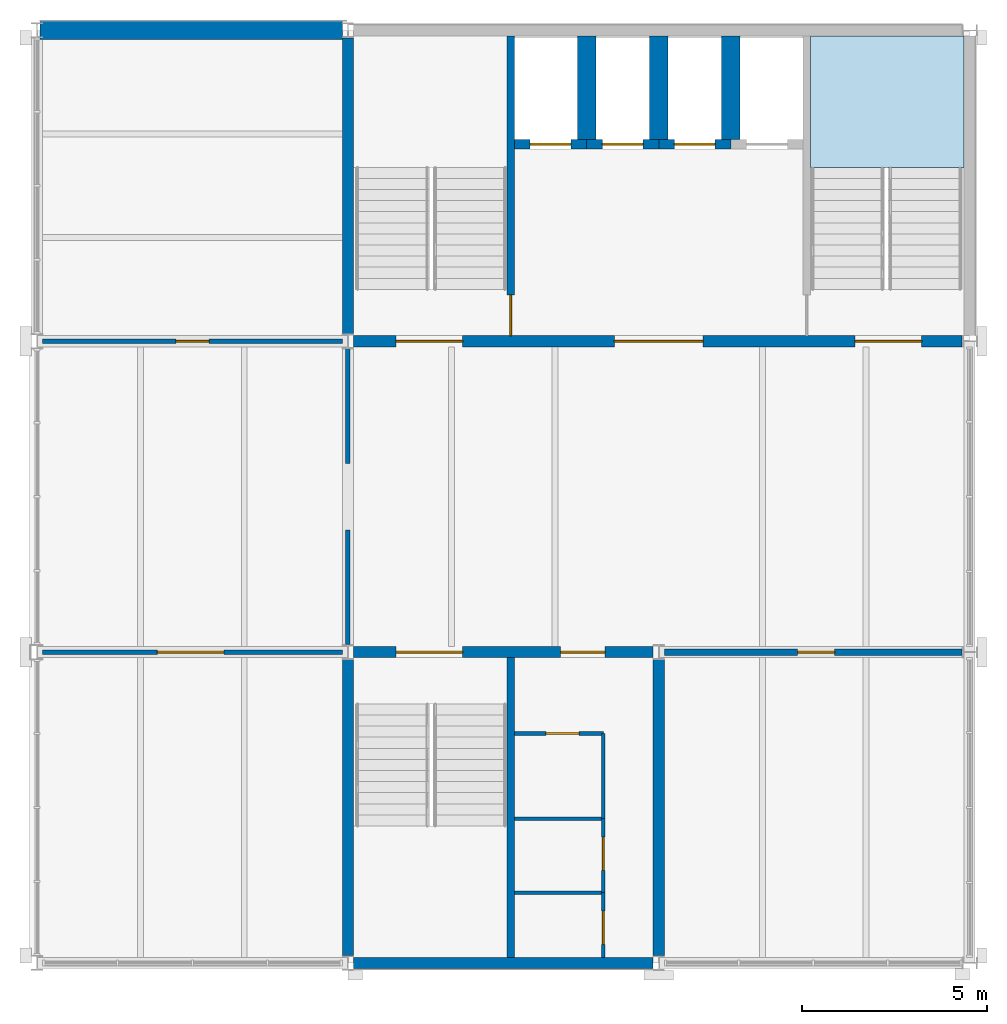
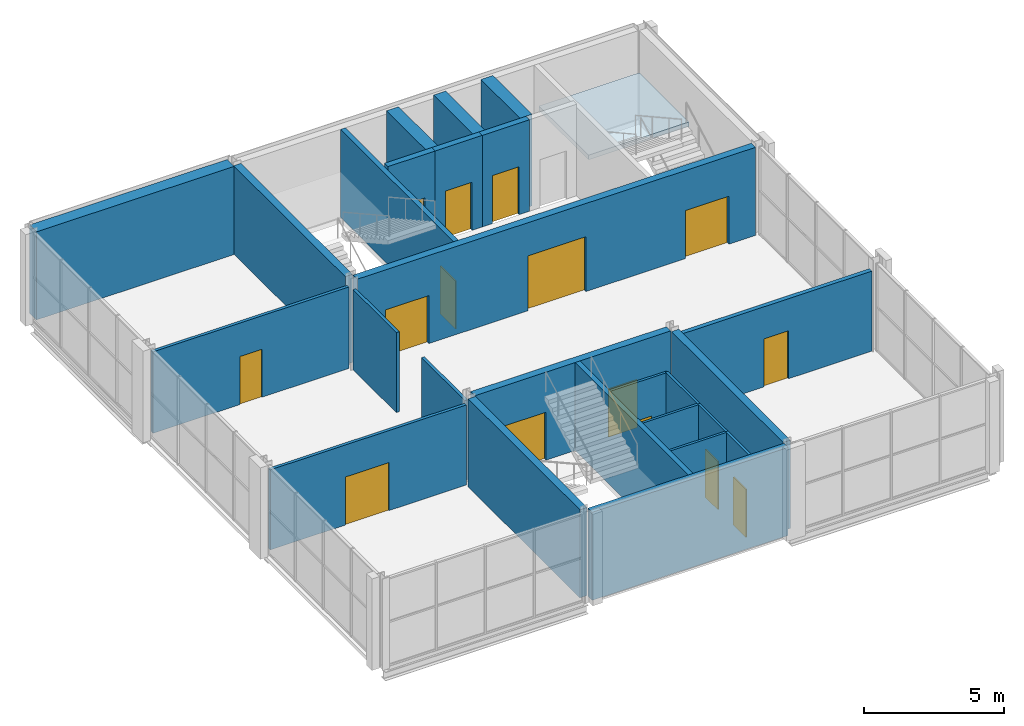
# One storey, part 6 of 8: 26 walls, 15 doors, 1 slab, 15 openings, 1 element without a shape of its own.
"""IFC4 building model written with IfcOpenShell, lengths in metres."""

from ifc_helpers import new_model, si_unit, direction, frame, frame_2d, origin, place, context, subcontext, project, spatial, polyline, rectangle, outline, extrude, material, layer, layer_set, type_object, element, fill, aggregate, save


model = new_model("IFC4")

# Units and contexts
model_context = context("Model", 3, precision=1e-05, world=origin(), true_north=direction((0.0, 1.0)))
body_context = subcontext(model_context, "Body", "Model", "MODEL_VIEW")
ifc_project = project(units=[si_unit("LENGTHUNIT", "METRE"), si_unit("AREAUNIT", "SQUARE_METRE"), si_unit("VOLUMEUNIT", "CUBIC_METRE"), si_unit("PLANEANGLEUNIT", "RADIAN"), si_unit("MASSUNIT", "GRAM", prefix="KILO")], contexts=[model_context])

# Site, building, storey
site_placement = place(None, origin())
site = spatial("IfcSite", under=ifc_project, at=site_placement, CompositionType="ELEMENT")
building_placement = place(site_placement, origin())
building = spatial("IfcBuilding", under=site, at=building_placement, Name="Galleria Vessillo Department Store", CompositionType="ELEMENT")
storey_placement = place(building_placement, frame((0.0, 0.0, 51.60009765625)))
storey = spatial("IfcBuildingStorey", under=building, at=storey_placement, Name="L11", CompositionType="ELEMENT", Elevation=51.60009765625)

# Stair, slab
ifc_material_1 = material(Name="Concrete C32/40", Category="concrete")
stair_type = type_object("IfcStairType", Name="Half-turn escape stair 2000 mm, 24 risers of 167 mm", PredefinedType="HALF_TURN_STAIR", material=ifc_material_1)
stair_placement = place(storey_placement, origin())
stair = element("IfcStair", 1, at=stair_placement, inside=storey, type_object=stair_type, Name="Stair ST9 L11", PredefinedType="HALF_TURN_STAIR")
ifc_material_2 = material(Name="Concrete C32/40", Category="concrete")
ifc_layer_1 = layer(ifc_material_2, 0.199951171875)
ifc_layer_set_1 = layer_set([ifc_layer_1], Name="Concrete C32/40")
slab_type = type_object("IfcSlabType", Name="Stair half landing 4150 x 3550 mm", PredefinedType="LANDING", material=ifc_layer_set_1)
slab_placement = place(storey_placement, frame((0.0, 0.0, 1.800048828125)))
slab = element("IfcSlab", 2, at=slab_placement, type_object=slab_type, Name="ST9 landing 1", PredefinedType="LANDING", context=body_context, shape_type="SweptSolid", body=[
    extrude(outline(polyline([(113.300048828125, 59.300048828125), (113.300048828125, 62.85009765625), (117.4501953125, 62.85009765625), (117.4501953125, 59.300048828125), (113.300048828125, 59.300048828125)])), origin(), (0.0, 0.0, 1.0), 0.199951171875),
])
aggregate(stair, [slab])

# Wall, opening, door
ifc_material_3 = material(Name="Acoustic gypsum board partition")
ifc_layer_2 = layer(ifc_material_3, 0.175048828125)
ifc_layer_set_2 = layer_set([ifc_layer_2], Name="Acoustic gypsum board partition")
wall_type_1 = type_object("IfcWallType", Name="Acoustic conference partition 175 mm", PredefinedType="PARTITIONING", material=ifc_layer_set_2)
wall_1_placement = place(storey_placement, frame((109.349853515625, 46.199951171875, 0.0), z_axis=(0.0, 0.0, 1.0), x_axis=(1.0, 0.0, 0.0)))
wall_1 = element("IfcWall", 3, at=wall_1_placement, inside=storey, type_object=wall_type_1, Name="Partition wall PT6 on L11 no. 008", PredefinedType="PARTITIONING", context=body_context, shape_type="SweptSolid", body=[
    extrude(rectangle(XDim=8.05029296875, YDim=0.175048828125, at=frame_2d((4.025146484375, 0.0))), origin(), (0.0, 0.0, 1.0), 3.5),
])
opening_1_placement = place(wall_1_placement, frame((3.60009765625, 0.0, 0.0)))
opening_1 = element("IfcOpeningElement", 4, at=opening_1_placement, cuts=wall_1, Name="Opening D3305", PredefinedType="OPENING", context=body_context, shape_type="SweptSolid", body=[
    extrude(rectangle(XDim=1.0, YDim=2.10009765625, at=frame_2d((0.5, 1.050048828125))), frame((0.0, 0.09765625, 0.0), z_axis=(0.0, -1.0, 0.0), x_axis=(1.0, 0.0, 0.0)), (0.0, 0.0, 1.0), 0.195068359375),
])
ifc_material_4 = material(Name="Timber and glass door leaf", Category="wood")
door_type_1 = type_object("IfcDoorType", Name="Floor door 1000 single leaf", OperationType="SINGLE_SWING_LEFT", PredefinedType="DOOR", material=ifc_material_4)
door_1_placement = place(opening_1_placement, frame((1.0, 0.0, 0.0), z_axis=(0.0, 0.0, 1.0), x_axis=(-1.0, 0.0, 0.0)))
door_1 = element("IfcDoor", 5, at=door_1_placement, inside=storey, type_object=door_type_1, Name="Door D3305", OperationType="SINGLE_SWING_RIGHT", OverallHeight=2.10009765625, OverallWidth=1.0, PredefinedType="DOOR", context=body_context, shape_type="SweptSolid", body=[
    extrude(rectangle(XDim=1.0, YDim=2.10009765625, at=frame_2d((0.5, 1.050048828125))), frame((0.0, 0.02490234375, 0.0), z_axis=(0.0, -1.0, 0.0), x_axis=(1.0, 0.0, 0.0)), (0.0, 0.0, 1.0), 0.050048828125),
])
fill(opening_1, door_1)

# Walls
ifc_material_5 = material(Name="Solid clay block masonry", Category="masonry")
ifc_layer_3 = layer(ifc_material_5, 0.5)
ifc_layer_set_3 = layer_set([ifc_layer_3], Name="Solid clay block masonry")
wall_type_2 = type_object("IfcWallType", Name="Lift shaft partition wall 500 mm", PredefinedType="SOLIDWALL", material=ifc_layer_set_3)
for number, where, z_axis, x_axis, name in (
    (6, (107.25, 62.85009765625, 0.0), (0.0, 0.0, 1.0), (0.0, -1.0, 0.0), "Lift shaft partition wall T1 L11"),
    (7, (109.199951171875, 62.85009765625, 0.0), (0.0, 0.0, 1.0), (0.0, -1.0, 0.0), "Lift shaft partition wall T2 L11"),
    (8, (111.14990234375, 62.85009765625, 0.0), (0.0, 0.0, 1.0), (0.0, -1.0, 0.0), "Lift shaft partition wall T3 L11"),
):
    element("IfcWall", number, at=place(storey_placement, frame(where, z_axis=z_axis, x_axis=x_axis)), inside=storey, type_object=wall_type_2, Name=name, PredefinedType="SOLIDWALL", context=body_context, shape_type="SweptSolid", body=[
        extrude(rectangle(XDim=2.800048828125, YDim=0.5, at=frame_2d((1.39990234375, 0.0))), origin(), (0.0, 0.0, 1.0), 4.0),
    ])

# Wall, opening, door
ifc_material_6 = material(Name="Solid clay block masonry", Category="masonry")
ifc_layer_4 = layer(ifc_material_6, 0.25)
ifc_layer_set_4 = layer_set([ifc_layer_4], Name="Solid clay block masonry")
wall_type_3 = type_object("IfcWallType", Name="Lift shaft wall 250 mm", PredefinedType="SOLIDWALL", material=ifc_layer_set_4)
wall_2_placement = place(storey_placement, frame((105.300048828125, 59.925048828125, 0.0), z_axis=(0.0, 0.0, 1.0), x_axis=(1.0, 0.0, 0.0)))
wall_2 = element("IfcWall", 9, at=wall_2_placement, inside=storey, type_object=wall_type_3, Name="Lift shaft wall T1 landing side L11", PredefinedType="SOLIDWALL", context=body_context, shape_type="SweptSolid", body=[
    extrude(rectangle(XDim=1.949951171875, YDim=0.25, at=frame_2d((0.97509765625, 0.0))), origin(), (0.0, 0.0, 1.0), 4.0),
])
opening_2_placement = place(wall_2_placement, frame((0.4248046875, 0.0, 0.0)))
opening_2 = element("IfcOpeningElement", 10, at=opening_2_placement, cuts=wall_2, Name="Opening LD117", PredefinedType="OPENING", context=body_context, shape_type="SweptSolid", body=[
    extrude(rectangle(XDim=1.10009765625, YDim=2.10009765625, at=frame_2d((0.550048828125, 1.050048828125))), frame((0.0, 0.135009765625, 0.0), z_axis=(0.0, -1.0, 0.0), x_axis=(1.0, 0.0, 0.0)), (0.0, 0.0, 1.0), 0.27001953125),
])
ifc_material_7 = material(Name="Stainless steel lift door panel", Category="steel")
door_type_2 = type_object("IfcDoorType", Name="Lift landing door LD110 sliding 1100 x 2100", OperationType="SLIDING_TO_LEFT", PredefinedType="DOOR", material=ifc_material_7)
door_2_placement = place(opening_2_placement, frame((1.10009765625, 0.0, 0.0), z_axis=(0.0, 0.0, 1.0), x_axis=(-1.0, 0.0, 0.0)))
door_2 = element("IfcDoor", 11, at=door_2_placement, inside=storey, type_object=door_type_2, Name="Lift landing door T1 L11", OperationType="SLIDING_TO_RIGHT", OverallHeight=2.10009765625, OverallWidth=1.10009765625, PredefinedType="DOOR", context=body_context, shape_type="SweptSolid", body=[
    extrude(rectangle(XDim=1.10009765625, YDim=2.10009765625, at=frame_2d((0.550048828125, 1.050048828125))), frame((0.0, 0.02490234375, 0.0), z_axis=(0.0, -1.0, 0.0), x_axis=(1.0, 0.0, 0.0)), (0.0, 0.0, 1.0), 0.050048828125),
])
fill(opening_2, door_2)

wall_3_placement = place(storey_placement, frame((107.25, 59.925048828125, 0.0), z_axis=(0.0, 0.0, 1.0), x_axis=(1.0, 0.0, 0.0)))
wall_3 = element("IfcWall", 12, at=wall_3_placement, inside=storey, type_object=wall_type_3, Name="Lift shaft wall T2 landing side L11", PredefinedType="SOLIDWALL", context=body_context, shape_type="SweptSolid", body=[
    extrude(rectangle(XDim=1.949951171875, YDim=0.25, at=frame_2d((0.97509765625, 0.0))), origin(), (0.0, 0.0, 1.0), 4.0),
])
opening_3_placement = place(wall_3_placement, frame((0.425048828125, 0.0, 0.0)))
opening_3 = element("IfcOpeningElement", 13, at=opening_3_placement, cuts=wall_3, Name="Opening LD118", PredefinedType="OPENING", context=body_context, shape_type="SweptSolid", body=[
    extrude(rectangle(XDim=1.10009765625, YDim=2.10009765625, at=frame_2d((0.550048828125, 1.050048828125))), frame((0.0, 0.135009765625, 0.0), z_axis=(0.0, -1.0, 0.0), x_axis=(1.0, 0.0, 0.0)), (0.0, 0.0, 1.0), 0.27001953125),
])
door_3_placement = place(opening_3_placement, frame((1.10009765625, 0.0, 0.0), z_axis=(0.0, 0.0, 1.0), x_axis=(-1.0, 0.0, 0.0)))
door_3 = element("IfcDoor", 14, at=door_3_placement, inside=storey, type_object=door_type_2, Name="Lift landing door T2 L11", OperationType="SLIDING_TO_RIGHT", OverallHeight=2.10009765625, OverallWidth=1.10009765625, PredefinedType="DOOR", context=body_context, shape_type="SweptSolid", body=[
    extrude(rectangle(XDim=1.10009765625, YDim=2.10009765625, at=frame_2d((0.550048828125, 1.050048828125))), frame((0.0, 0.02490234375, 0.0), z_axis=(0.0, -1.0, 0.0), x_axis=(1.0, 0.0, 0.0)), (0.0, 0.0, 1.0), 0.050048828125),
])
fill(opening_3, door_3)

wall_4_placement = place(storey_placement, frame((109.199951171875, 59.925048828125, 0.0), z_axis=(0.0, 0.0, 1.0), x_axis=(1.0, 0.0, 0.0)))
wall_4 = element("IfcWall", 15, at=wall_4_placement, inside=storey, type_object=wall_type_3, Name="Lift shaft wall T3 landing side L11", PredefinedType="SOLIDWALL", context=body_context, shape_type="SweptSolid", body=[
    extrude(rectangle(XDim=1.949951171875, YDim=0.25, at=frame_2d((0.97509765625, 0.0))), origin(), (0.0, 0.0, 1.0), 4.0),
])
opening_4_placement = place(wall_4_placement, frame((0.425048828125, 0.0, 0.0)))
opening_4 = element("IfcOpeningElement", 16, at=opening_4_placement, cuts=wall_4, Name="Opening LD119", PredefinedType="OPENING", context=body_context, shape_type="SweptSolid", body=[
    extrude(rectangle(XDim=1.10009765625, YDim=2.10009765625, at=frame_2d((0.550048828125, 1.050048828125))), frame((0.0, 0.135009765625, 0.0), z_axis=(0.0, -1.0, 0.0), x_axis=(1.0, 0.0, 0.0)), (0.0, 0.0, 1.0), 0.27001953125),
])
door_4_placement = place(opening_4_placement, frame((1.10009765625, 0.0, 0.0), z_axis=(0.0, 0.0, 1.0), x_axis=(-1.0, 0.0, 0.0)))
door_4 = element("IfcDoor", 17, at=door_4_placement, inside=storey, type_object=door_type_2, Name="Lift landing door T3 L11", OperationType="SLIDING_TO_RIGHT", OverallHeight=2.10009765625, OverallWidth=1.10009765625, PredefinedType="DOOR", context=body_context, shape_type="SweptSolid", body=[
    extrude(rectangle(XDim=1.10009765625, YDim=2.10009765625, at=frame_2d((0.550048828125, 1.050048828125))), frame((0.0, 0.02490234375, 0.0), z_axis=(0.0, -1.0, 0.0), x_axis=(1.0, 0.0, 0.0)), (0.0, 0.0, 1.0), 0.050048828125),
])
fill(opening_4, door_4)

ifc_material_8 = material(Name="Gypsum board partition")
ifc_layer_5 = layer(ifc_material_8, 0.125)
ifc_layer_set_5 = layer_set([ifc_layer_5], Name="Gypsum board partition")
wall_type_4 = type_object("IfcWallType", Name="Office partition 125 mm", PredefinedType="PARTITIONING", material=ifc_layer_set_5)
wall_5_placement = place(storey_placement, frame((92.5498046875, 46.199951171875, 0.0), z_axis=(0.0, 0.0, 1.0), x_axis=(1.0, 0.0, 0.0)))
wall_5 = element("IfcWall", 18, at=wall_5_placement, inside=storey, type_object=wall_type_4, Name="Partition wall PT2 on L11 no. 007", PredefinedType="PARTITIONING", context=body_context, shape_type="SweptSolid", body=[
    extrude(rectangle(XDim=8.100341796875, YDim=0.125, at=frame_2d((4.05029296875, 0.0))), origin(), (0.0, 0.0, 1.0), 3.5),
])
opening_5_placement = place(wall_5_placement, frame((3.10009765625, 0.0, 0.0)))
opening_5 = element("IfcOpeningElement", 19, at=opening_5_placement, cuts=wall_5, Name="Opening D3304", PredefinedType="OPENING", context=body_context, shape_type="SweptSolid", body=[
    extrude(rectangle(XDim=1.800048828125, YDim=2.10009765625, at=frame_2d((0.89990234375, 1.050048828125))), frame((0.0, 0.072509765625, 0.0), z_axis=(0.0, -1.0, 0.0), x_axis=(1.0, 0.0, 0.0)), (0.0, 0.0, 1.0), 0.14501953125),
])
ifc_material_9 = material(Name="Timber and glass door leaf", Category="wood")
door_type_3 = type_object("IfcDoorType", Name="Floor door 1800 double leaf", OperationType="DOUBLE_DOOR_SINGLE_SWING", PredefinedType="DOOR", material=ifc_material_9)
door_5_placement = place(opening_5_placement, origin())
door_5 = element("IfcDoor", 20, at=door_5_placement, inside=storey, type_object=door_type_3, Name="Door D3304", OperationType="DOUBLE_DOOR_SINGLE_SWING", OverallHeight=2.10009765625, OverallWidth=1.800048828125, PredefinedType="DOOR", context=body_context, shape_type="SweptSolid", body=[
    extrude(rectangle(XDim=1.800048828125, YDim=2.10009765625, at=frame_2d((0.89990234375, 1.050048828125))), frame((0.0, 0.02490234375, 0.0), z_axis=(0.0, -1.0, 0.0), x_axis=(1.0, 0.0, 0.0)), (0.0, 0.0, 1.0), 0.050048828125),
])
fill(opening_5, door_5)

# Walls
for number, where, z_axis, x_axis, name in (
    (21, (100.800048828125, 46.39990234375, 0.0), (0.0, 0.0, 1.0), (0.0, 1.0, 0.0), "Partition wall PT2 on L11 no. 009"),
    (22, (100.800048828125, 51.300048828125, 0.0), (0.0, 0.0, 1.0), (0.0, 1.0, 0.0), "Partition wall PT2 on L11 no. 010"),
):
    element("IfcWall", number, at=place(storey_placement, frame(where, z_axis=z_axis, x_axis=x_axis)), inside=storey, type_object=wall_type_4, Name=name, PredefinedType="PARTITIONING", context=body_context, shape_type="SweptSolid", body=[
        extrude(rectangle(XDim=3.10009765625, YDim=0.125, at=frame_2d((1.550048828125, 0.0))), origin(), (0.0, 0.0, 1.0), 3.5),
    ])

# Wall, opening, door
wall_6_placement = place(storey_placement, frame((92.5498046875, 54.60009765625, 0.0), z_axis=(0.0, 0.0, 1.0), x_axis=(1.0, 0.0, 0.0)))
wall_6 = element("IfcWall", 23, at=wall_6_placement, inside=storey, type_object=wall_type_4, Name="Partition wall PT2 on L11 no. 011", PredefinedType="PARTITIONING", context=body_context, shape_type="SweptSolid", body=[
    extrude(rectangle(XDim=8.100341796875, YDim=0.125, at=frame_2d((4.05029296875, 0.0))), origin(), (0.0, 0.0, 1.0), 3.56005859375),
])
opening_6_placement = place(wall_6_placement, frame((3.60009765625, 0.0, 0.0)))
opening_6 = element("IfcOpeningElement", 24, at=opening_6_placement, cuts=wall_6, Name="Opening D3306", PredefinedType="OPENING", context=body_context, shape_type="SweptSolid", body=[
    extrude(rectangle(XDim=0.89990234375, YDim=2.10009765625, at=frame_2d((0.449951171875, 1.050048828125))), frame((0.0, 0.072509765625, 0.0), z_axis=(0.0, -1.0, 0.0), x_axis=(1.0, 0.0, 0.0)), (0.0, 0.0, 1.0), 0.14501953125),
])
ifc_material_10 = material(Name="Timber and glass door leaf", Category="wood")
door_type_4 = type_object("IfcDoorType", Name="Floor door 900 single leaf", OperationType="SINGLE_SWING_LEFT", PredefinedType="DOOR", material=ifc_material_10)
door_6_placement = place(opening_6_placement, origin())
door_6 = element("IfcDoor", 25, at=door_6_placement, inside=storey, type_object=door_type_4, Name="Door D3306", OperationType="SINGLE_SWING_RIGHT", OverallHeight=2.10009765625, OverallWidth=0.89990234375, PredefinedType="DOOR", context=body_context, shape_type="SweptSolid", body=[
    extrude(rectangle(XDim=0.89990234375, YDim=2.10009765625, at=frame_2d((0.449951171875, 1.050048828125))), frame((0.0, 0.02490234375, 0.0), z_axis=(0.0, -1.0, 0.0), x_axis=(1.0, 0.0, 0.0)), (0.0, 0.0, 1.0), 0.050048828125),
])
fill(opening_6, door_6)

# Wall, openings, doors
ifc_material_11 = material(Name="Concrete C32/40 reinforced", Category="concrete")
ifc_layer_6 = layer(ifc_material_11, 0.300048828125)
ifc_layer_set_6 = layer_set([ifc_layer_6], Name="Concrete C32/40 reinforced")
wall_type_5 = type_object("IfcWallType", Name="Reinforced concrete core wall 300 mm", PredefinedType="SHEAR", material=ifc_layer_set_6)
wall_7_placement = place(storey_placement, frame((100.949951171875, 54.60009765625, 0.0), z_axis=(0.0, 0.0, 1.0), x_axis=(1.0, 0.0, 0.0)))
wall_7 = element("IfcWall", 26, at=wall_7_placement, inside=storey, type_object=wall_type_5, Name="S-CW-TC-INTERIOR-L11", PredefinedType="SHEAR", context=body_context, shape_type="SweptSolid", body=[
    extrude(rectangle(XDim=16.4501953125, YDim=0.300048828125, at=frame_2d((8.22509765625, 0.0))), origin(), (0.0, 0.0, 1.0), 3.85009765625),
])
opening_7_placement = place(wall_7_placement, frame((1.14990234375, 0.0, 0.0)))
opening_7 = element("IfcOpeningElement", 27, at=opening_7_placement, cuts=wall_7, Name="Opening D5297", PredefinedType="OPENING", context=body_context, shape_type="SweptSolid", body=[
    extrude(rectangle(XDim=1.800048828125, YDim=2.10009765625, at=frame_2d((0.89990234375, 1.050048828125))), frame((0.0, 0.16015625, 0.0), z_axis=(0.0, -1.0, 0.0), x_axis=(1.0, 0.0, 0.0)), (0.0, 0.0, 1.0), 0.320068359375),
])
opening_8_placement = place(wall_7_placement, frame((13.5498046875, 0.0, 0.0)))
opening_8 = element("IfcOpeningElement", 28, at=opening_8_placement, cuts=wall_7, Name="Opening D5298", PredefinedType="OPENING", context=body_context, shape_type="SweptSolid", body=[
    extrude(rectangle(XDim=1.800048828125, YDim=2.10009765625, at=frame_2d((0.89990234375, 1.050048828125))), frame((0.0, 0.16015625, 0.0), z_axis=(0.0, -1.0, 0.0), x_axis=(1.0, 0.0, 0.0)), (0.0, 0.0, 1.0), 0.320068359375),
])
opening_9_placement = place(wall_7_placement, frame((7.0498046875, 0.0, 0.0)))
opening_9 = element("IfcOpeningElement", 29, at=opening_9_placement, cuts=wall_7, Name="Opening D5299", PredefinedType="OPENING", context=body_context, shape_type="SweptSolid", body=[
    extrude(rectangle(XDim=2.39990234375, YDim=2.39990234375, at=frame_2d((1.199951171875, 1.199951171875))), frame((0.0, 0.16015625, 0.0), z_axis=(0.0, -1.0, 0.0), x_axis=(1.0, 0.0, 0.0)), (0.0, 0.0, 1.0), 0.320068359375),
])
ifc_material_12 = material(Name="Fire-rated steel door leaf", Category="steel")
door_type_5 = type_object("IfcDoorType", Name="Door D180F double leaf 1800 x 2100", OperationType="DOUBLE_DOOR_SINGLE_SWING", PredefinedType="DOOR", material=ifc_material_12)
door_7_placement = place(opening_7_placement, origin())
door_7 = element("IfcDoor", 30, at=door_7_placement, inside=storey, type_object=door_type_5, Name="Lobby door TC-ST8-FLOOR L11", OperationType="DOUBLE_DOOR_SINGLE_SWING", OverallHeight=2.10009765625, OverallWidth=1.800048828125, PredefinedType="DOOR", context=body_context, shape_type="SweptSolid", body=[
    extrude(rectangle(XDim=1.800048828125, YDim=2.10009765625, at=frame_2d((0.89990234375, 1.050048828125))), frame((0.0, 0.02490234375, 0.0), z_axis=(0.0, -1.0, 0.0), x_axis=(1.0, 0.0, 0.0)), (0.0, 0.0, 1.0), 0.050048828125),
])
fill(opening_7, door_7)
door_8_placement = place(opening_8_placement, origin())
door_8 = element("IfcDoor", 31, at=door_8_placement, inside=storey, type_object=door_type_5, Name="Lobby door TC-ST9-FLOOR L11", OperationType="DOUBLE_DOOR_SINGLE_SWING", OverallHeight=2.10009765625, OverallWidth=1.800048828125, PredefinedType="DOOR", context=body_context, shape_type="SweptSolid", body=[
    extrude(rectangle(XDim=1.800048828125, YDim=2.10009765625, at=frame_2d((0.89990234375, 1.050048828125))), frame((0.0, 0.02490234375, 0.0), z_axis=(0.0, -1.0, 0.0), x_axis=(1.0, 0.0, 0.0)), (0.0, 0.0, 1.0), 0.050048828125),
])
fill(opening_8, door_8)
ifc_material_13 = material(Name="Fire-rated steel door leaf", Category="steel")
door_type_6 = type_object("IfcDoorType", Name="Door D240F double leaf 2400 x 2400", OperationType="DOUBLE_DOOR_SINGLE_SWING", PredefinedType="DOOR", material=ifc_material_13)
door_9_placement = place(opening_9_placement, frame((2.39990234375, 0.0, 0.0), z_axis=(0.0, 0.0, 1.0), x_axis=(-1.0, 0.0, 0.0)))
door_9 = element("IfcDoor", 32, at=door_9_placement, inside=storey, type_object=door_type_6, Name="Lobby door TC-LOBBY-FLOOR L11", OperationType="DOUBLE_DOOR_SINGLE_SWING", OverallHeight=2.39990234375, OverallWidth=2.39990234375, PredefinedType="DOOR", context=body_context, shape_type="SweptSolid", body=[
    extrude(rectangle(XDim=2.39990234375, YDim=2.39990234375, at=frame_2d((1.199951171875, 1.199951171875))), frame((0.0, 0.02490234375, 0.0), z_axis=(0.0, -1.0, 0.0), x_axis=(1.0, 0.0, 0.0)), (0.0, 0.0, 1.0), 0.050048828125),
])
fill(opening_9, door_9)

# Wall
wall_8_placement = place(storey_placement, frame((100.800048828125, 54.800048828125, 0.0), z_axis=(0.0, 0.0, 1.0), x_axis=(0.0, 1.0, 0.0)))
element("IfcWall", 33, at=wall_8_placement, inside=storey, type_object=wall_type_5, Name="S-CW-TC-WEST-L11", PredefinedType="SHEAR", context=body_context, shape_type="SweptSolid", body=[
    extrude(rectangle(XDim=8.0, YDim=0.300048828125, at=frame_2d((4.0, 0.0))), origin(), (0.0, 0.0, 1.0), 3.85009765625),
])

# Wall, openings, doors
wall_9_placement = place(storey_placement, frame((100.949951171875, 46.199951171875, 0.0), z_axis=(0.0, 0.0, 1.0), x_axis=(1.0, 0.0, 0.0)))
wall_9 = element("IfcWall", 34, at=wall_9_placement, inside=storey, type_object=wall_type_5, Name="S-CW-TS-INTERIOR-L11", PredefinedType="SHEAR", context=body_context, shape_type="SweptSolid", body=[
    extrude(rectangle(XDim=8.10009765625, YDim=0.300048828125, at=frame_2d((4.050048828125, 0.0))), origin(), (0.0, 0.0, 1.0), 3.85009765625),
])
opening_10_placement = place(wall_9_placement, frame((1.14990234375, 0.0, 0.0)))
opening_10 = element("IfcOpeningElement", 35, at=opening_10_placement, cuts=wall_9, Name="Opening D5331", PredefinedType="OPENING", context=body_context, shape_type="SweptSolid", body=[
    extrude(rectangle(XDim=1.800048828125, YDim=2.10009765625, at=frame_2d((0.89990234375, 1.050048828125))), frame((0.0, 0.16015625, 0.0), z_axis=(0.0, -1.0, 0.0), x_axis=(1.0, 0.0, 0.0)), (0.0, 0.0, 1.0), 0.320068359375),
])
opening_11_placement = place(wall_9_placement, frame((5.599853515625, 0.0, 0.0)))
opening_11 = element("IfcOpeningElement", 36, at=opening_11_placement, cuts=wall_9, Name="Opening D5332", PredefinedType="OPENING", context=body_context, shape_type="SweptSolid", body=[
    extrude(rectangle(XDim=1.199951171875, YDim=2.10009765625, at=frame_2d((0.60009765625, 1.050048828125))), frame((0.0, 0.16015625, 0.0), z_axis=(0.0, -1.0, 0.0), x_axis=(1.0, 0.0, 0.0)), (0.0, 0.0, 1.0), 0.320068359375),
])
ifc_material_14 = material(Name="Fire-rated steel door leaf", Category="steel")
door_type_7 = type_object("IfcDoorType", Name="Door D120F fire door 1200 x 2100", OperationType="SINGLE_SWING_LEFT", PredefinedType="DOOR", material=ifc_material_14)
door_10_placement = place(opening_11_placement, frame((1.199951171875, 0.0, 0.0), z_axis=(0.0, 0.0, 1.0), x_axis=(-1.0, 0.0, 0.0)))
door_10 = element("IfcDoor", 37, at=door_10_placement, inside=storey, type_object=door_type_7, Name="Lobby door TS-WC-FLOOR L11", OperationType="SINGLE_SWING_LEFT", OverallHeight=2.10009765625, OverallWidth=1.199951171875, PredefinedType="DOOR", context=body_context, shape_type="SweptSolid", body=[
    extrude(rectangle(XDim=1.199951171875, YDim=2.10009765625, at=frame_2d((0.60009765625, 1.050048828125))), frame((0.0, 0.02490234375, 0.0), z_axis=(0.0, -1.0, 0.0), x_axis=(1.0, 0.0, 0.0)), (0.0, 0.0, 1.0), 0.050048828125),
])
fill(opening_11, door_10)
door_11_placement = place(opening_10_placement, frame((1.800048828125, 0.0, 0.0), z_axis=(0.0, 0.0, 1.0), x_axis=(-1.0, 0.0, 0.0)))
door_11 = element("IfcDoor", 38, at=door_11_placement, inside=storey, type_object=door_type_5, Name="Lobby door TS-ST12-FLOOR L11", OperationType="DOUBLE_DOOR_SINGLE_SWING", OverallHeight=2.10009765625, OverallWidth=1.800048828125, PredefinedType="DOOR", context=body_context, shape_type="SweptSolid", body=[
    extrude(rectangle(XDim=1.800048828125, YDim=2.10009765625, at=frame_2d((0.89990234375, 1.050048828125))), frame((0.0, 0.02490234375, 0.0), z_axis=(0.0, -1.0, 0.0), x_axis=(1.0, 0.0, 0.0)), (0.0, 0.0, 1.0), 0.050048828125),
])
fill(opening_10, door_11)

# Walls
for number, where, z_axis, x_axis, name in (
    (39, (100.800048828125, 38.0, 0.0), (0.0, 0.0, 1.0), (0.0, 1.0, 0.0), "S-CW-TS-WEST-L11"),
    (40, (109.199951171875, 38.0, 0.0), (0.0, 0.0, 1.0), (0.0, 1.0, 0.0), "S-CW-TS-EAST-L11"),
):
    element("IfcWall", number, at=place(storey_placement, frame(where, z_axis=z_axis, x_axis=x_axis)), inside=storey, type_object=wall_type_5, Name=name, PredefinedType="SHEAR", context=body_context, shape_type="SweptSolid", body=[
        extrude(rectangle(XDim=8.0, YDim=0.300048828125, at=frame_2d((4.0, 0.0))), origin(), (0.0, 0.0, 1.0), 3.85009765625),
    ])
ifc_material_15 = material(Name="Concrete C32/40 reinforced", Category="concrete")
ifc_layer_7 = layer(ifc_material_15, 0.300048828125)
ifc_layer_set_7 = layer_set([ifc_layer_7], Name="Concrete C32/40 reinforced")
wall_type_6 = type_object("IfcWallType", Name="Reinforced concrete core wall 300 mm, external", PredefinedType="SHEAR", material=ifc_layer_set_7)
wall_10_placement = place(storey_placement, frame((100.949951171875, 37.800048828125, 0.0), z_axis=(0.0, 0.0, 1.0), x_axis=(1.0, 0.0, 0.0)))
element("IfcWall", 41, at=wall_10_placement, inside=storey, type_object=wall_type_6, Name="S-CW-TS-PARTY-L11", PredefinedType="SHEAR", context=body_context, shape_type="SweptSolid", body=[
    extrude(rectangle(XDim=8.10009765625, YDim=0.300048828125, at=frame_2d((4.050048828125, 0.0))), origin(), (0.0, 0.0, 1.0), 3.85009765625),
])
ifc_material_16 = material(Name="Concrete C32/40 reinforced", Category="concrete")
ifc_layer_8 = layer(ifc_material_16, 0.5)
ifc_layer_set_8 = layer_set([ifc_layer_8], Name="Concrete C32/40 reinforced")
wall_type_7 = type_object("IfcWallType", Name="Reinforced concrete party wall 500 mm", PredefinedType="SHEAR", material=ifc_layer_set_8)
wall_11_placement = place(storey_placement, frame((92.474853515625, 63.0, 0.0), z_axis=(0.0, 0.0, 1.0), x_axis=(1.0, 0.0, 0.0)))
element("IfcWall", 42, at=wall_11_placement, inside=storey, type_object=wall_type_7, Name="S-TN-L11-01", PredefinedType="SHEAR", context=body_context, shape_type="SweptSolid", body=[
    extrude(rectangle(XDim=8.17529296875, YDim=0.5, at=frame_2d((4.087646484375, 0.0))), origin(), (0.0, 0.0, 1.0), 3.85009765625),
])

# Wall, opening, door
ifc_material_17 = material(Name="Concrete C32/40 reinforced", Category="concrete")
ifc_layer_9 = layer(ifc_material_17, 0.199951171875)
ifc_layer_set_9 = layer_set([ifc_layer_9], Name="Concrete C32/40 reinforced")
wall_type_8 = type_object("IfcWallType", Name="Reinforced concrete stair enclosure wall 200 mm", PredefinedType="SHEAR", material=ifc_layer_set_9)
wall_12_placement = place(storey_placement, frame((105.199951171875, 62.85009765625, 0.0), z_axis=(0.0, 0.0, 1.0), x_axis=(0.0, -1.0, 0.0)))
wall_12 = element("IfcWall", 43, at=wall_12_placement, inside=storey, type_object=wall_type_8, Name="Stair enclosure wall TC L11", PredefinedType="SHEAR", context=body_context, shape_type="SweptSolid", body=[
    extrude(rectangle(XDim=8.10009765625, YDim=0.199951171875, at=frame_2d((4.050048828125, 0.0))), origin(), (0.0, 0.0, 1.0), 3.849853515625),
])
opening_12_placement = place(wall_12_placement, frame((7.0, 0.0, 0.0)))
opening_12 = element("IfcOpeningElement", 44, at=opening_12_placement, cuts=wall_12, Name="Opening D5295", PredefinedType="OPENING", context=body_context, shape_type="SweptSolid", body=[
    extrude(rectangle(XDim=1.11009765625, YDim=2.10009765625, at=frame_2d((0.554931640625, 1.050048828125))), frame((0.0, 0.10986328125, 0.0), z_axis=(0.0, -1.0, 0.0), x_axis=(1.0, 0.0, 0.0)), (0.0, 0.0, 1.0), 0.219970703125),
])
ifc_material_18 = material(Name="Fire-rated steel door leaf", Category="steel")
door_type_8 = type_object("IfcDoorType", Name="Door D110F stair door 1100 x 2100", OperationType="SINGLE_SWING_LEFT", PredefinedType="DOOR", material=ifc_material_18)
door_12_placement = place(opening_12_placement, frame((1.10009765625, 0.0, 0.0), z_axis=(0.0, 0.0, 1.0), x_axis=(-1.0, 0.0, 0.0)))
door_12 = element("IfcDoor", 45, at=door_12_placement, inside=storey, type_object=door_type_8, Name="Stair door TC-ST8-LOBBY L11", OperationType="SINGLE_SWING_LEFT", OverallHeight=2.10009765625, OverallWidth=1.10009765625, PredefinedType="DOOR", context=body_context, shape_type="SweptSolid", body=[
    extrude(rectangle(XDim=1.10009765625, YDim=2.10009765625, at=frame_2d((0.550048828125, 1.050048828125))), frame((0.0, 0.02490234375, 0.0), z_axis=(0.0, -1.0, 0.0), x_axis=(1.0, 0.0, 0.0)), (0.0, 0.0, 1.0), 0.050048828125),
])
fill(opening_12, door_12)

# Wall
wall_13_placement = place(storey_placement, frame((105.199951171875, 37.949951171875, 0.0), z_axis=(0.0, 0.0, 1.0), x_axis=(0.0, 1.0, 0.0)))
element("IfcWall", 46, at=wall_13_placement, inside=storey, type_object=wall_type_8, Name="Stair enclosure wall TS L11", PredefinedType="SHEAR", context=body_context, shape_type="SweptSolid", body=[
    extrude(rectangle(XDim=8.10009765625, YDim=0.199951171875, at=frame_2d((4.050048828125, 0.0))), origin(), (0.0, 0.0, 1.0), 3.849853515625),
])

# Wall, opening, door
ifc_material_19 = material(Name="Moisture-resistant board partition")
ifc_layer_10 = layer(ifc_material_19, 0.10009765625)
ifc_layer_set_10 = layer_set([ifc_layer_10], Name="Moisture-resistant board partition")
wall_type_9 = type_object("IfcWallType", Name="WC and cubicle partition 100 mm", PredefinedType="PARTITIONING", material=ifc_layer_set_10)
wall_14_placement = place(storey_placement, frame((105.300048828125, 44.0, 0.0), z_axis=(0.0, 0.0, 1.0), x_axis=(1.0, 0.0, 0.0)))
wall_14 = element("IfcWall", 47, at=wall_14_placement, inside=storey, type_object=wall_type_9, Name="Partition wall PT1 on L11 no. 001", PredefinedType="PARTITIONING", context=body_context, shape_type="SweptSolid", body=[
    extrude(rectangle(XDim=2.39990234375, YDim=0.10009765625, at=frame_2d((1.199951171875, 0.0))), origin(), (0.0, 0.0, 1.0), 3.780029296875),
])
opening_13_placement = place(wall_14_placement, frame((0.85009765625, 0.0, 0.0)))
opening_13 = element("IfcOpeningElement", 48, at=opening_13_placement, cuts=wall_14, Name="Opening D3301", PredefinedType="OPENING", context=body_context, shape_type="SweptSolid", body=[
    extrude(rectangle(XDim=0.89990234375, YDim=2.10009765625, at=frame_2d((0.449951171875, 1.050048828125))), frame((0.0, 0.06005859375, 0.0), z_axis=(0.0, -1.0, 0.0), x_axis=(1.0, 0.0, 0.0)), (0.0, 0.0, 1.0), 0.1201171875),
])
door_13_placement = place(opening_13_placement, origin())
door_13 = element("IfcDoor", 49, at=door_13_placement, inside=storey, type_object=door_type_4, Name="Door D3301", OperationType="SINGLE_SWING_LEFT", OverallHeight=2.10009765625, OverallWidth=0.89990234375, PredefinedType="DOOR", context=body_context, shape_type="SweptSolid", body=[
    extrude(rectangle(XDim=0.89990234375, YDim=2.10009765625, at=frame_2d((0.449951171875, 1.050048828125))), frame((0.0, 0.02490234375, 0.0), z_axis=(0.0, -1.0, 0.0), x_axis=(1.0, 0.0, 0.0)), (0.0, 0.0, 1.0), 0.050048828125),
])
fill(opening_13, door_13)

# Wall
wall_15_placement = place(storey_placement, frame((107.699951171875, 41.699951171875, 0.0), z_axis=(0.0, 0.0, 1.0), x_axis=(0.0, 1.0, 0.0)))
element("IfcWall", 50, at=wall_15_placement, inside=storey, type_object=wall_type_9, Name="Partition wall PT1 on L11 no. 002", PredefinedType="PARTITIONING", context=body_context, shape_type="SweptSolid", body=[
    extrude(rectangle(XDim=2.300048828125, YDim=0.10009765625, at=frame_2d((1.14990234375, 0.0))), origin(), (0.0, 0.0, 1.0), 3.780029296875),
])

# Wall, opening, door
wall_16_placement = place(storey_placement, frame((107.699951171875, 39.699951171875, 0.0), z_axis=(0.0, 0.0, 1.0), x_axis=(0.0, 1.0, 0.0)))
wall_16 = element("IfcWall", 51, at=wall_16_placement, inside=storey, type_object=wall_type_9, Name="Partition wall PT1 on L11 no. 003", PredefinedType="PARTITIONING", context=body_context, shape_type="SweptSolid", body=[
    extrude(rectangle(XDim=2.0, YDim=0.10009765625, at=frame_2d((1.0, 0.0))), origin(), (0.0, 0.0, 1.0), 3.780029296875),
])
opening_14_placement = place(wall_16_placement, frame((0.60009765625, 0.0, 0.0)))
opening_14 = element("IfcOpeningElement", 52, at=opening_14_placement, cuts=wall_16, Name="Opening D3302", PredefinedType="OPENING", context=body_context, shape_type="SweptSolid", body=[
    extrude(rectangle(XDim=0.89990234375, YDim=2.10009765625, at=frame_2d((0.449951171875, 1.050048828125))), frame((0.0, 0.06005859375, 0.0), z_axis=(0.0, -1.0, 0.0), x_axis=(1.0, 0.0, 0.0)), (0.0, 0.0, 1.0), 0.1201171875),
])
door_14_placement = place(opening_14_placement, frame((0.89990234375, 0.0, 0.0), z_axis=(0.0, 0.0, 1.0), x_axis=(-1.0, 0.0, 0.0)))
door_14 = element("IfcDoor", 53, at=door_14_placement, inside=storey, type_object=door_type_4, Name="Door D3302", OperationType="SINGLE_SWING_RIGHT", OverallHeight=2.10009765625, OverallWidth=0.89990234375, PredefinedType="DOOR", context=body_context, shape_type="SweptSolid", body=[
    extrude(rectangle(XDim=0.89990234375, YDim=2.10009765625, at=frame_2d((0.449951171875, 1.050048828125))), frame((0.0, 0.02490234375, 0.0), z_axis=(0.0, -1.0, 0.0), x_axis=(1.0, 0.0, 0.0)), (0.0, 0.0, 1.0), 0.050048828125),
])
fill(opening_14, door_14)

wall_17_placement = place(storey_placement, frame((107.699951171875, 37.949951171875, 0.0), z_axis=(0.0, 0.0, 1.0), x_axis=(0.0, 1.0, 0.0)))
wall_17 = element("IfcWall", 54, at=wall_17_placement, inside=storey, type_object=wall_type_9, Name="Partition wall PT1 on L11 no. 004", PredefinedType="PARTITIONING", context=body_context, shape_type="SweptSolid", body=[
    extrude(rectangle(XDim=1.75, YDim=0.10009765625, at=frame_2d((0.875, 0.0))), origin(), (0.0, 0.0, 1.0), 3.780029296875),
])
opening_15_placement = place(wall_17_placement, frame((0.35009765625, 0.0, 0.0)))
opening_15 = element("IfcOpeningElement", 55, at=opening_15_placement, cuts=wall_17, Name="Opening D3303", PredefinedType="OPENING", context=body_context, shape_type="SweptSolid", body=[
    extrude(rectangle(XDim=0.89990234375, YDim=2.10009765625, at=frame_2d((0.449951171875, 1.050048828125))), frame((0.0, 0.06005859375, 0.0), z_axis=(0.0, -1.0, 0.0), x_axis=(1.0, 0.0, 0.0)), (0.0, 0.0, 1.0), 0.1201171875),
])
ifc_material_20 = material(Name="Timber and glass door leaf", Category="wood")
door_type_9 = type_object("IfcDoorType", Name="Accessible WC door 900 sliding", OperationType="SLIDING_TO_LEFT", PredefinedType="DOOR", material=ifc_material_20)
door_15_placement = place(opening_15_placement, origin())
door_15 = element("IfcDoor", 56, at=door_15_placement, inside=storey, type_object=door_type_9, Name="Door D3303", OperationType="SLIDING_TO_RIGHT", OverallHeight=2.10009765625, OverallWidth=0.89990234375, PredefinedType="DOOR", context=body_context, shape_type="SweptSolid", body=[
    extrude(rectangle(XDim=0.89990234375, YDim=2.10009765625, at=frame_2d((0.449951171875, 1.050048828125))), frame((0.0, 0.02490234375, 0.0), z_axis=(0.0, -1.0, 0.0), x_axis=(1.0, 0.0, 0.0)), (0.0, 0.0, 1.0), 0.050048828125),
])
fill(opening_15, door_15)

# Walls
for number, where, z_axis, x_axis, name in (
    (57, (105.300048828125, 41.699951171875, 0.0), (0.0, 0.0, 1.0), (1.0, 0.0, 0.0), "Partition wall PT1 on L11 no. 005"),
    (58, (105.300048828125, 39.699951171875, 0.0), (0.0, 0.0, 1.0), (1.0, 0.0, 0.0), "Partition wall PT1 on L11 no. 006"),
):
    element("IfcWall", number, at=place(storey_placement, frame(where, z_axis=z_axis, x_axis=x_axis)), inside=storey, type_object=wall_type_9, Name=name, PredefinedType="PARTITIONING", context=body_context, shape_type="SweptSolid", body=[
        extrude(rectangle(XDim=2.39990234375, YDim=0.10009765625, at=frame_2d((1.199951171875, 0.0))), origin(), (0.0, 0.0, 1.0), 3.780029296875),
    ])

save(model, "model.ifc")
